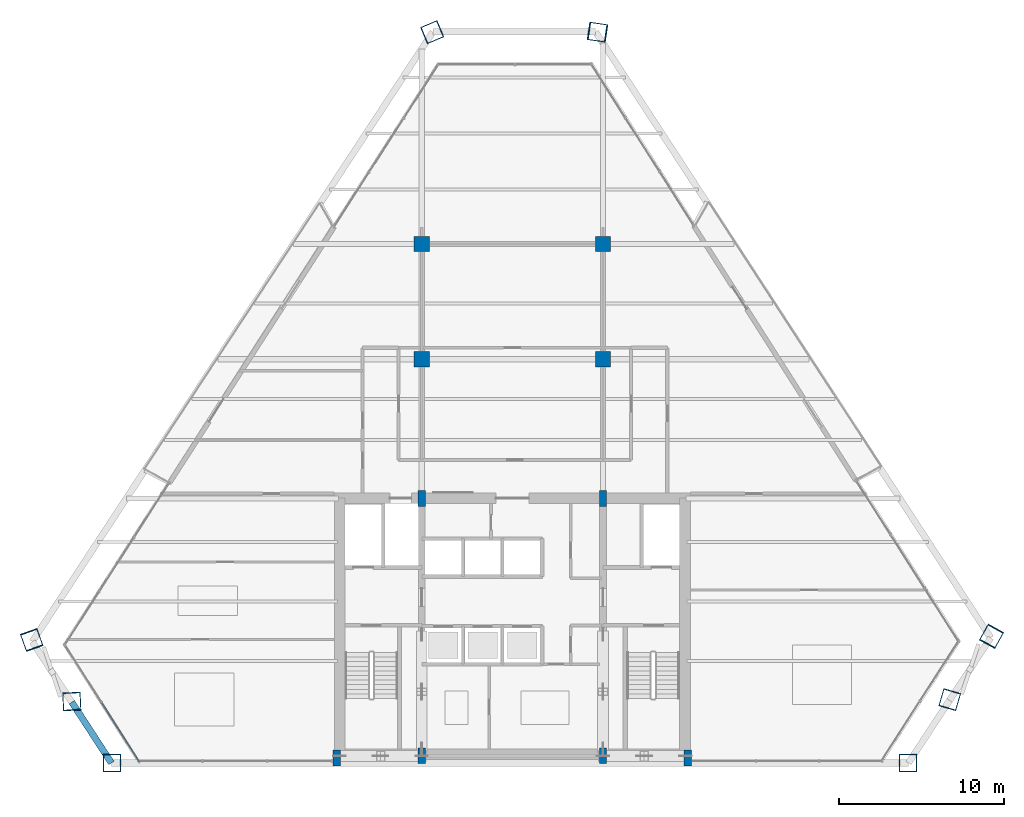
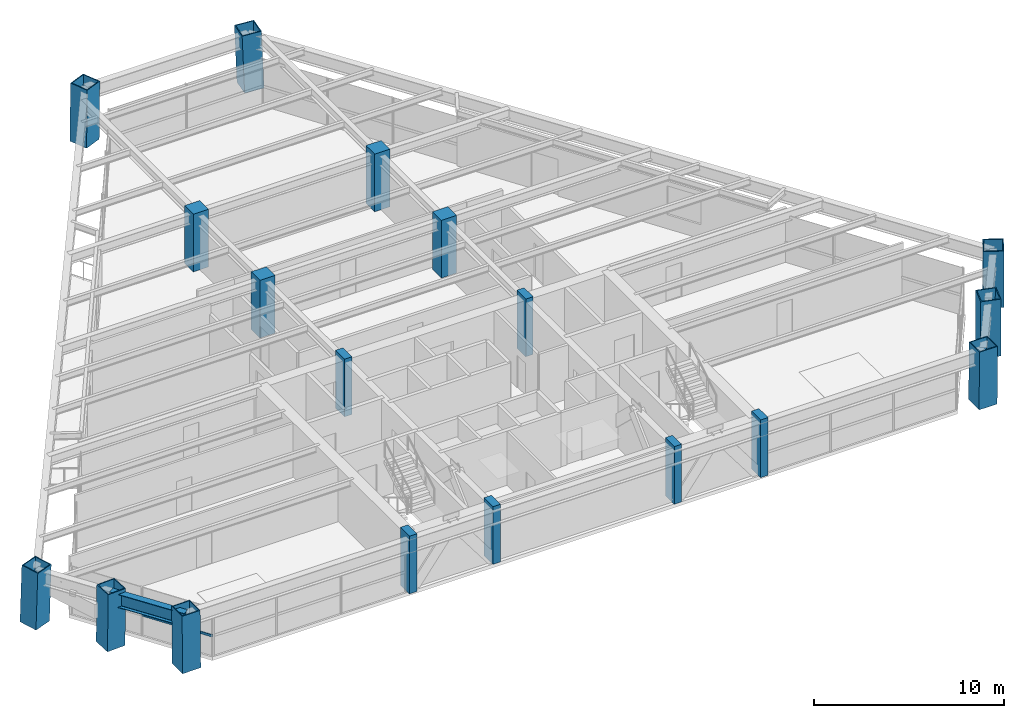
# One storey, part 1 of 16: 18 columns, 1 beam, 1 member, 1 element without a shape of its own.
"""IFC4 building model written with IfcOpenShell, lengths in metres."""

from ifc_helpers import new_model, si_unit, direction, frame, origin, origin_2d, place, context, subcontext, project, spatial, rectangle, hollow_rectangle, i_section, extrude, source, transform, mapped, material, material_profile, profile_set, type_object, element, aggregate, save


model = new_model("IFC4")

# Units and contexts
model_context = context("Model", 3, precision=1e-05, world=origin(), true_north=direction((0.0, 1.0)))
body_context = subcontext(model_context, "Body", "Model", "MODEL_VIEW")
ifc_project = project(units=[si_unit("LENGTHUNIT", "METRE"), si_unit("AREAUNIT", "SQUARE_METRE"), si_unit("VOLUMEUNIT", "CUBIC_METRE"), si_unit("PLANEANGLEUNIT", "RADIAN"), si_unit("MASSUNIT", "GRAM", prefix="KILO")], contexts=[model_context])

# Site, building, storey
site_placement = place(None, origin())
site = spatial("IfcSite", under=ifc_project, at=site_placement, CompositionType="ELEMENT")
building_placement = place(site_placement, origin())
building = spatial("IfcBuilding", under=site, at=building_placement, Name="Varnakhor Terracotta Tower", CompositionType="ELEMENT")
storey_placement = place(building_placement, frame((0.0, 0.0, 151.5)))
storey = spatial("IfcBuildingStorey", under=building, at=storey_placement, Name="L38", CompositionType="ELEMENT", Elevation=151.5)

# Columns
ifc_material_1 = material(Name="Concrete C50/60", Category="concrete")
ifc_material_profile_1 = material_profile(ifc_material_1, rectangle(XDim=0.449951171875, YDim=0.949951171875, at=origin_2d()), Name="RC PILASTER 950x450")
ifc_profile_set_1 = profile_set([ifc_material_profile_1], Name="Concrete C50/60")
column_type_1 = type_object("IfcColumnType", Name="COL-PIL-950x450", PredefinedType="PILASTER", material=ifc_profile_set_1)
shared_shape_1 = source(origin(), body_context, "Body", "SweptSolid", [
    extrude(rectangle(XDim=0.449951171875, YDim=0.949951171875, at=origin_2d()), origin(), (0.0, 0.0, 1.0), 3.699951171875),
])
for number, where, z_axis, x_axis, name in (
    (1, (-10.64990234375, 0.300048828125, 0.0), (0.0, 0.0, 1.0), (1.0, 0.0, 0.0), "L38 Core Pilaster CP1"),
    (2, (-5.5, 0.449951171875, 0.0), (0.0, 0.0, 1.0), (1.0, 0.0, 0.0), "L38 Core Pilaster CP2"),
    (3, (5.5, 0.449951171875, 0.0), (0.0, 0.0, 1.0), (1.0, 0.0, 0.0), "L38 Core Pilaster CP3"),
    (4, (10.64990234375, 0.300048828125, 0.0), (0.0, 0.0, 1.0), (1.0, 0.0, 0.0), "L38 Core Pilaster CP4"),
    (5, (-5.5, 16.050048828125, 0.0), (0.0, 0.0, 1.0), (1.0, 0.0, 0.0), "L38 Core Pilaster CP5"),
    (6, (5.5, 16.050048828125, 0.0), (0.0, 0.0, 1.0), (1.0, 0.0, 0.0), "L38 Core Pilaster CP6"),
):
    element("IfcColumn", number, at=place(storey_placement, frame(where, z_axis=z_axis, x_axis=x_axis)), inside=storey, type_object=column_type_1, Name=name, PredefinedType="PILASTER", context=body_context, shape_type="MappedRepresentation", body=[
        mapped(shared_shape_1, transform((0.0, 0.0, 0.0), scale=1.0)),
    ])
ifc_material_2 = material(Name="Steel S460", Category="steel")
ifc_material_profile_2 = material_profile(ifc_material_2, hollow_rectangle(XDim=1.10009765625, YDim=1.10009765625, WallThickness=0.054931640625, at=origin_2d()), Name="BOX 1100x1100x55")
ifc_profile_set_2 = profile_set([ifc_material_profile_2], Name="Steel S460")
column_type_2 = type_object("IfcColumnType", Name="COL-MEGA-1100", PredefinedType="COLUMN", material=ifc_profile_set_2)
shared_shape_2 = source(origin(), body_context, "Body", "SweptSolid", [
    extrude(hollow_rectangle(XDim=1.10009765625, YDim=1.10009765625, WallThickness=0.054931640625, at=origin_2d()), origin(), (0.0, 0.0, 1.0), 3.69140625),
])
column_1_placement = place(storey_placement, frame((-24.29736328125, 0.0, 0.00439453125), z_axis=(-0.00992080284, 0.0, 0.999950787625), x_axis=(0.0, -1.0, 0.0)))
element("IfcColumn", 7, at=column_1_placement, inside=storey, type_object=column_type_2, Name="L38 Perimeter Mega-Column M1", PredefinedType="COLUMN", context=body_context, shape_type="MappedRepresentation", body=[
    mapped(shared_shape_2, transform((0.0, 0.0, 0.0), scale=1.0)),
])
shared_shape_3 = source(origin(), body_context, "Body", "SweptSolid", [
    extrude(hollow_rectangle(XDim=1.10009765625, YDim=1.10009765625, WallThickness=0.054931640625, at=origin_2d()), origin(), (0.0, 0.0, 1.0), 3.691650390625),
])
for number, where, z_axis, x_axis, name in (
    (8, (26.547119140625, 3.853759765625, 0.00439453125), (-0.004430958279, -0.015144618595, 0.999875495818), (0.959764960395, -0.280804595399, 0.0), "L38 Perimeter Mega-Column M3"),
    (9, (-4.873779296875, 44.351318359375, 0.00439453125), (0.013028660035, 0.0054892324, 0.999900056178), (-0.388266119941, 0.921547296728, 0.0), "L38 Perimeter Mega-Column M6"),
    (10, (-26.738525390625, 3.742919921875, 0.00439453125), (0.000793601382, -0.016004294541, 0.999871608134), (0.998772838371, 0.04952592587, 0.0), "L38 Perimeter Mega-Column M8"),
):
    element("IfcColumn", number, at=place(storey_placement, frame(where, z_axis=z_axis, x_axis=x_axis)), inside=storey, type_object=column_type_2, Name=name, PredefinedType="COLUMN", context=body_context, shape_type="MappedRepresentation", body=[
        mapped(shared_shape_3, transform((0.0, 0.0, 0.0), scale=1.0)),
    ])
shared_shape_4 = source(origin(), body_context, "Body", "SweptSolid", [
    extrude(hollow_rectangle(XDim=1.10009765625, YDim=1.10009765625, WallThickness=0.054931640625, at=origin_2d()), origin(), (0.0, 0.0, 1.0), 3.693359375),
])
for number, where, z_axis, x_axis, name in (
    (11, (29.087890625, 7.70751953125, 0.00439453125), (-0.016789982715, -0.030274850722, 0.999400585298), (0.874517304723, -0.4849943131, 0.0), "L38 Perimeter Mega-Column M4"),
    (12, (-29.179443359375, 7.485595703125, 0.00439453125), (0.011435973274, -0.031928179718, 0.999424739465), (0.941432828218, 0.337200578223, 0.0), "L38 Perimeter Mega-Column M7"),
):
    element("IfcColumn", number, at=place(storey_placement, frame(where, z_axis=z_axis, x_axis=x_axis)), inside=storey, type_object=column_type_2, Name=name, PredefinedType="COLUMN", context=body_context, shape_type="MappedRepresentation", body=[
        mapped(shared_shape_4, transform((0.0, 0.0, 0.0), scale=1.0)),
    ])
ifc_material_profile_3 = material_profile(ifc_material_1, rectangle(XDim=0.919921875, YDim=0.919921875, at=origin_2d()), Name="RC 920x920")
ifc_profile_set_3 = profile_set([ifc_material_profile_3], Name="Concrete C50/60")
column_type_3 = type_object("IfcColumnType", Name="COL-RC-920", PredefinedType="COLUMN", material=ifc_profile_set_3)
shared_shape_5 = source(origin(), body_context, "Body", "SweptSolid", [
    extrude(rectangle(XDim=0.919921875, YDim=0.919921875, at=origin_2d()), origin(), (0.0, 0.0, 1.0), 3.699951171875),
])
for number, where, z_axis, x_axis, name in (
    (13, (-5.5, 24.5, 0.0), (0.0, 0.0, 1.0), (1.0, 0.0, 0.0), "L38 Interior Tower Column IC1"),
    (14, (5.5, 24.5, 0.0), (0.0, 0.0, 1.0), (1.0, 0.0, 0.0), "L38 Interior Tower Column IC2"),
    (15, (-5.5, 31.5, 0.0), (0.0, 0.0, 1.0), (1.0, 0.0, 0.0), "L38 Interior Tower Column IC3"),
    (16, (5.5, 31.5, 0.0), (0.0, 0.0, 1.0), (1.0, 0.0, 0.0), "L38 Interior Tower Column IC4"),
):
    element("IfcColumn", number, at=place(storey_placement, frame(where, z_axis=z_axis, x_axis=x_axis)), inside=storey, type_object=column_type_3, Name=name, PredefinedType="COLUMN", context=body_context, shape_type="MappedRepresentation", body=[
        mapped(shared_shape_5, transform((0.0, 0.0, 0.0), scale=1.0)),
    ])
shared_shape_6 = source(origin(), body_context, "Body", "SweptSolid", [
    extrude(hollow_rectangle(XDim=1.10009765625, YDim=1.10009765625, WallThickness=0.054931640625, at=origin_2d()), origin(), (0.0, 0.0, 1.0), 3.69384765625),
])
column_2_placement = place(storey_placement, frame((5.189453125, 44.351318359375, 0.00439453125), z_axis=(-0.037673574537, 0.005485801205, 0.999275041101), x_axis=(-0.14409439922, -0.98956394645, 0.0)))
element("IfcColumn", 17, at=column_2_placement, inside=storey, type_object=column_type_2, Name="L38 Perimeter Mega-Column M5", PredefinedType="COLUMN", context=body_context, shape_type="MappedRepresentation", body=[
    mapped(shared_shape_6, transform((0.0, 0.0, 0.0), scale=1.0)),
])
shared_shape_7 = source(origin(), body_context, "Body", "SweptSolid", [
    extrude(hollow_rectangle(XDim=1.10009765625, YDim=1.10009765625, WallThickness=0.054931640625, at=origin_2d()), origin(), (0.0, 0.0, 1.0), 3.691162109375),
])
column_3_placement = place(storey_placement, frame((24.00634765625, 0.0, 0.00439453125), z_axis=(0.007870647139, 0.0, 0.999969025977), x_axis=(0.0, 1.0, 0.0)))
element("IfcColumn", 18, at=column_3_placement, inside=storey, type_object=column_type_2, Name="L38 Perimeter Mega-Column M2", PredefinedType="COLUMN", context=body_context, shape_type="MappedRepresentation", body=[
    mapped(shared_shape_7, transform((0.0, 0.0, 0.0), scale=1.0)),
])

# Beam
ifc_material_3 = material(Name="Steel S355", Category="steel")
ifc_material_profile_4 = material_profile(ifc_material_3, i_section(OverallWidth=0.39990234375, OverallDepth=0.85498046875, WebThickness=0.01806640625, FlangeThickness=0.029052734375, FilletRadius=0.01806640625, at=origin_2d()), Name="W33X201")
ifc_profile_set_4 = profile_set([ifc_material_profile_4], Name="Steel S355")
beam_type = type_object("IfcBeamType", Name="BM-W33X201", PredefinedType="BEAM", material=ifc_profile_set_4)
shared_shape_8 = source(origin(), body_context, "Body", "SweptSolid", [
    extrude(i_section(OverallWidth=0.39990234375, OverallDepth=0.85498046875, WebThickness=0.01806640625, FlangeThickness=0.029052734375, FilletRadius=0.01806640625, at=origin_2d()), origin(), (0.0, 0.0, 1.0), 4.3974609375),
])
beam_placement = place(storey_placement, frame((-26.735595703125, 3.683837890625, 3.04248046875), z_axis=(0.546125518313, -0.837703359339, 0.0), x_axis=(0.837703359339, 0.546125518313, 0.0)))
element("IfcBeam", 19, at=beam_placement, inside=storey, type_object=beam_type, Name="L38 Perimeter Spandrel 8", PredefinedType="BEAM", context=body_context, shape_type="MappedRepresentation", body=[
    mapped(shared_shape_8, transform((0.0, 0.0, 0.0), scale=1.0)),
])

# Curtain wall, member
ifc_material_4 = material(Name="Anodised Aluminium Curtain Wall System", Category="aluminium")
curtain_wall_type = type_object("IfcCurtainWallType", Name="CW-SYS-MID-OFFICE", PredefinedType="NOTDEFINED", material=ifc_material_4)
curtain_wall_placement = place(storey_placement, origin())
curtain_wall = element("IfcCurtainWall", 20, at=curtain_wall_placement, inside=storey, type_object=curtain_wall_type, Name="L38 Facet Curtain Wall 6", PredefinedType="NOTDEFINED")
ifc_material_5 = material(Name="Anodised Aluminium 6063-T6", Category="aluminium")
ifc_material_profile_5 = material_profile(ifc_material_5, rectangle(XDim=0.070068359375, YDim=0.155029296875, at=origin_2d()), Name="ALU TRANSOM 70x155")
ifc_profile_set_5 = profile_set([ifc_material_profile_5], Name="Anodised Aluminium 6063-T6")
member_type = type_object("IfcMemberType", Name="CWT-03", PredefinedType="USERDEFINED", material=ifc_profile_set_5)
shared_shape_9 = source(origin(), body_context, "Body", "SweptSolid", [
    extrude(rectangle(XDim=0.070068359375, YDim=0.155029296875, at=origin_2d()), origin(), (0.0, 0.0, 1.0), 4.222900390625),
])
member_placement = place(storey_placement, frame((-22.6455078125, 0.089599609375, 1.281005859375), z_axis=(-0.536748294553, 0.843742418215, 0.0), x_axis=(-0.843742418215, -0.536748294553, 0.0)))
member = element("IfcMember", 21, at=member_placement, type_object=member_type, Name="L38 Facet Curtain Wall 6 Transom 1", ObjectType="TRANSOM", PredefinedType="USERDEFINED", context=body_context, shape_type="MappedRepresentation", body=[
    mapped(shared_shape_9, transform((0.0, 0.0, 0.0), scale=1.0)),
])
aggregate(curtain_wall, [member])

save(model, "model.ifc")
